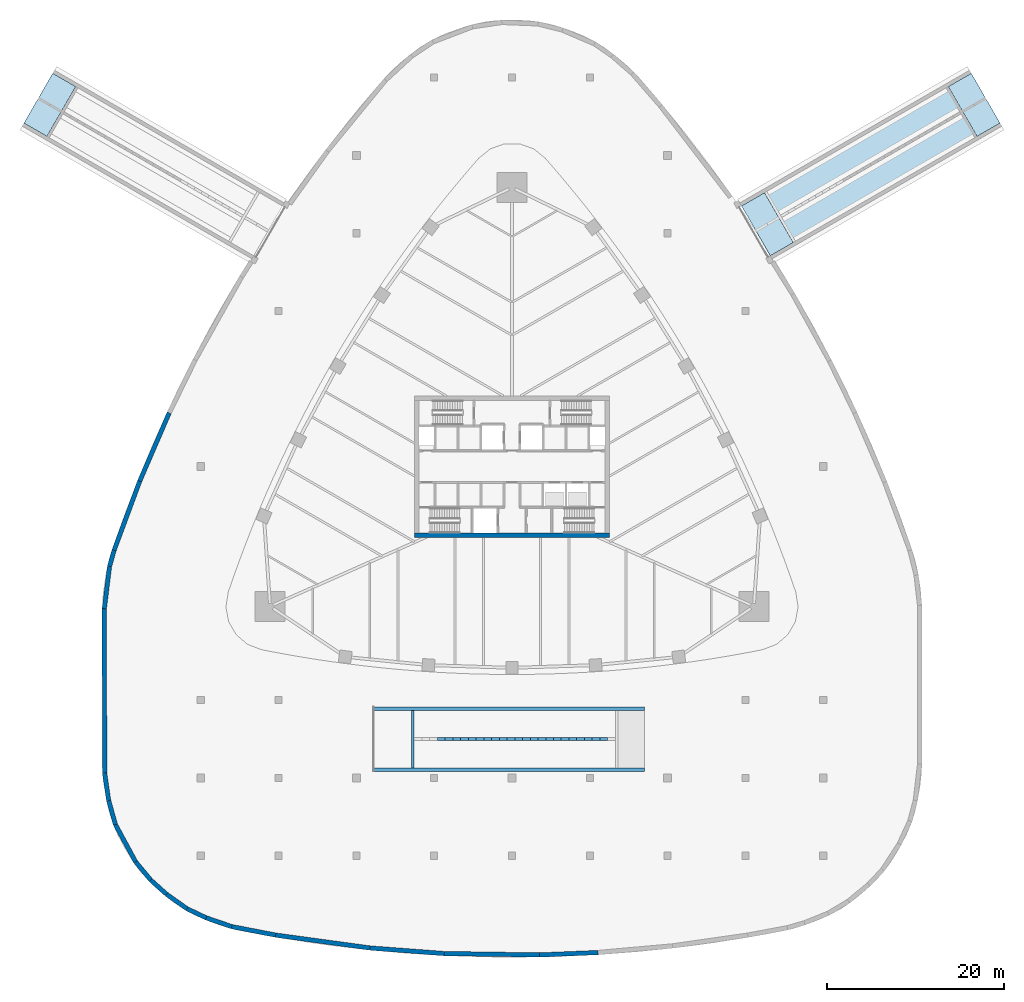
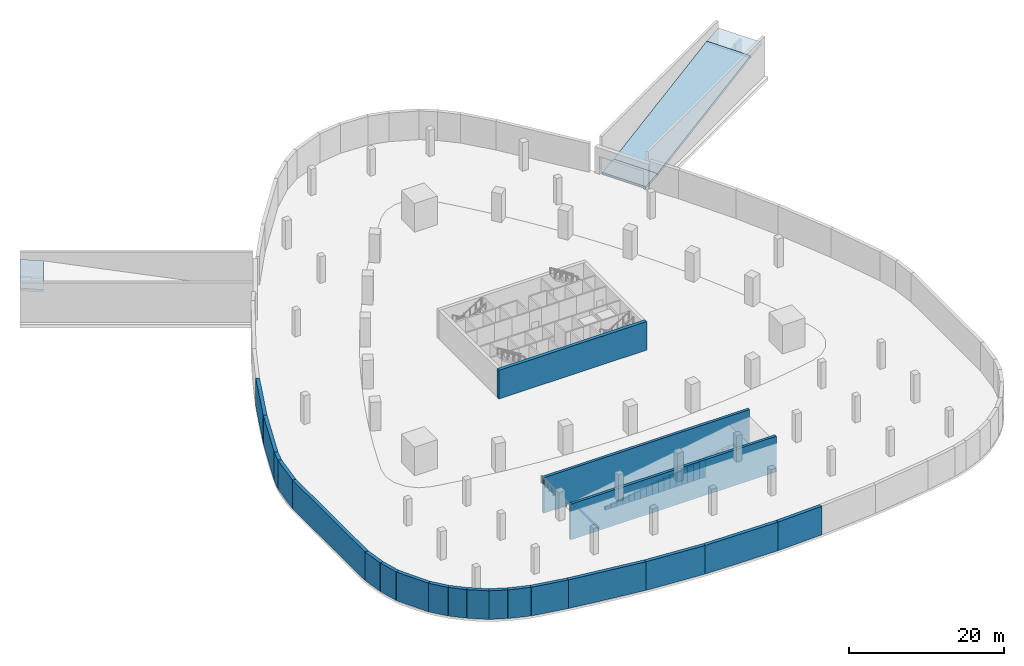
# One storey, part 3 of 10: 44 walls, 4 slabs.
"""IFC4 building model written with IfcOpenShell, lengths in metres."""

from ifc_helpers import new_model, si_unit, direction, frame, frame_2d, origin, place, context, subcontext, project, spatial, polyline, rectangle, outline, extrude, material, layer, layer_set, type_object, element, save


model = new_model("IFC4")

# Units and contexts
model_context = context("Model", 3, precision=1e-05, world=origin(), true_north=direction((0.0, 1.0)))
body_context = subcontext(model_context, "Body", "Model", "MODEL_VIEW")
ifc_project = project(units=[si_unit("LENGTHUNIT", "METRE"), si_unit("AREAUNIT", "SQUARE_METRE"), si_unit("VOLUMEUNIT", "CUBIC_METRE"), si_unit("PLANEANGLEUNIT", "RADIAN"), si_unit("MASSUNIT", "GRAM", prefix="KILO")], contexts=[model_context])

# Site, building, storey
site_placement = place(None, origin())
site = spatial("IfcSite", under=ifc_project, at=site_placement, CompositionType="ELEMENT")
building_placement = place(site_placement, origin())
building = spatial("IfcBuilding", under=site, at=building_placement, Name="Sierra Prisma Convention Tower", CompositionType="ELEMENT")
storey_placement = place(building_placement, frame((0.0, 0.0, -4.5)))
storey = spatial("IfcBuildingStorey", under=building, at=storey_placement, Name="B1", CompositionType="ELEMENT", Elevation=-4.5)

# Slabs
ifc_material_1 = material(Name="Concrete C35/45", Category="concrete")
ifc_layer_1 = layer(ifc_material_1, 0.39990234375)
ifc_layer_set_1 = layer_set([ifc_layer_1], Name="Car park ramp slab 400 C35/45")
slab_type = type_object("IfcSlabType", Name="Car park ramp slab 400 C35/45", PredefinedType="LANDING", material=ifc_layer_set_1)
slab_1_placement = place(storey_placement, frame((25.959228515625, 29.48193359375, 0.0), z_axis=(0.0, 0.0, 1.0), x_axis=(0.866031096941, 0.499990139034, 0.0)))
element("IfcSlab", 1, at=slab_1_placement, inside=storey, type_object=slab_type, Name="Car park ramp R1 lower transition", PredefinedType="LANDING", context=body_context, shape_type="SweptSolid", body=[
    extrude(outline(polyline([(0.0, -0.4013671875), (3.0, -0.1513671875), (3.0, 0.25), (0.0, 0.0), (0.0, -0.4013671875)])), frame((0.0, 0.0, 0.0), z_axis=(0.0, -1.0, 0.0), x_axis=(1.0, 0.0, 0.0)), (0.0, 0.0, 1.0), 6.5),
])
slab_2_placement = place(storey_placement, frame((28.557373046875, 30.98193359375, 0.25), z_axis=(0.0, 0.0, 1.0), x_axis=(0.866026010844, 0.49999894854, 0.0)))
element("IfcSlab", 2, at=slab_2_placement, inside=storey, type_object=slab_type, Name="Car park ramp R1 main flight", PredefinedType="LANDING", context=body_context, shape_type="SweptSolid", body=[
    extrude(outline(polyline([(0.0, -0.405517578125), (24.0, 3.594482421875), (24.0, 4.0), (0.0, 0.0), (0.0, -0.405517578125)])), frame((0.0, 0.0, 0.0), z_axis=(0.0, -1.0, 0.0), x_axis=(1.0, 0.0, 0.0)), (0.0, 0.0, 1.0), 6.5),
])
for number, where, z_axis, x_axis, name in (
    (3, (49.342041015625, 42.98193359375, 4.25), (0.0, 0.0, 1.0), (0.866010750942, 0.50002537861, 0.0), "Car park ramp R1 upper transition"),
    (4, (-52.5927734375, 37.353271484375, 4.25), (0.0, 0.0, 1.0), (-0.866010750942, 0.50002537861, 0.0), "Car park ramp R2 upper transition"),
):
    element("IfcSlab", number, at=place(storey_placement, frame(where, z_axis=z_axis, x_axis=x_axis)), inside=storey, type_object=slab_type, Name=name, PredefinedType="LANDING", context=body_context, shape_type="SweptSolid", body=[
        extrude(outline(polyline([(0.0, -0.4013671875), (2.999755859375, -0.1513671875), (2.999755859375, 0.25), (0.0, 0.0), (0.0, -0.4013671875)])), frame((0.0, 0.0, 0.0), z_axis=(0.0, -1.0, 0.0), x_axis=(1.0, 0.0, 0.0)), (0.0, 0.0, 1.0), 6.5),
    ])

# Walls
ifc_material_2 = material(Name="Concrete C70/85", Category="concrete")
ifc_layer_2 = layer(ifc_material_2, 0.5)
ifc_layer_set_2 = layer_set([ifc_layer_2], Name="Core wall RC 500 C70/85")
wall_type_1 = type_object("IfcWallType", Name="Core wall RC 500 C70/85", PredefinedType="SHEAR", material=ifc_layer_set_2)
wall_1_placement = place(storey_placement, frame((-11.0, -7.75, 0.0), z_axis=(0.0, 0.0, 1.0), x_axis=(1.0, 0.0, 0.0)))
element("IfcWall", 5, at=wall_1_placement, inside=storey, type_object=wall_type_1, Name="Core wall S B1", PredefinedType="SHEAR", context=body_context, shape_type="SweptSolid", body=[
    extrude(rectangle(XDim=22.0, YDim=0.5, at=frame_2d((11.0, 0.0))), origin(), (0.0, 0.0, 1.0), 4.5),
])
ifc_material_3 = material(Name="Concrete C35/45", Category="concrete")
ifc_layer_3 = layer(ifc_material_3, 6.5)
ifc_layer_set_3 = layer_set([ifc_layer_3], Name="Ramp bearing wall 6500")
wall_type_2 = type_object("IfcWallType", Name="Ramp bearing wall 6500", PredefinedType="STANDARD", material=ifc_layer_set_3)
wall_2_placement = place(storey_placement, frame((-11.071044921875, -30.800048828125, -4.5), z_axis=(0.0, 0.0, 1.0), x_axis=(-1.0, 0.0, 0.0)))
element("IfcWall", 6, at=wall_2_placement, inside=storey, type_object=wall_type_2, Name="Car park ramp R3 lower bearing wall", PredefinedType="STANDARD", context=body_context, shape_type="SweptSolid", body=[
    extrude(rectangle(XDim=0.304931640625, YDim=6.5, at=frame_2d((0.15234375, 0.0))), origin(), (0.0, 0.0, 1.0), 0.050048828125),
])
ifc_material_4 = material(Name="Concrete C35/45", Category="concrete")
ifc_layer_4 = layer(ifc_material_4, 0.300048828125)
ifc_layer_set_4 = layer_set([ifc_layer_4], Name="Ramp spine wall 300")
wall_type_3 = type_object("IfcWallType", Name="Ramp spine wall 300", PredefinedType="STANDARD", material=ifc_layer_set_4)
wall_3_placement = place(storey_placement, frame((10.82421875, -30.800048828125, -4.5), z_axis=(0.0, 0.0, 1.0), x_axis=(-1.0, 0.0, 0.0)))
element("IfcWall", 7, at=wall_3_placement, inside=storey, type_object=wall_type_3, Name="Car park ramp R3 spine wall 2", PredefinedType="STANDARD", context=body_context, shape_type="SweptSolid", body=[
    extrude(rectangle(XDim=0.875732421875, YDim=0.300048828125, at=frame_2d((0.43798828125, 0.0))), origin(), (0.0, 0.0, 1.0), 3.55322265625),
])
wall_4_placement = place(storey_placement, frame((9.948486328125, -30.800048828125, -4.5), z_axis=(0.0, 0.0, 1.0), x_axis=(-1.0, 0.0, 0.0)))
element("IfcWall", 8, at=wall_4_placement, inside=storey, type_object=wall_type_3, Name="Car park ramp R3 spine wall 3", PredefinedType="STANDARD", context=body_context, shape_type="SweptSolid", body=[
    extrude(rectangle(XDim=0.8759765625, YDim=0.300048828125, at=frame_2d((0.43798828125, 0.0))), origin(), (0.0, 0.0, 1.0), 3.4072265625),
])
wall_5_placement = place(storey_placement, frame((9.072509765625, -30.800048828125, -4.5), z_axis=(0.0, 0.0, 1.0), x_axis=(-1.0, 0.0, 0.0)))
element("IfcWall", 9, at=wall_5_placement, inside=storey, type_object=wall_type_3, Name="Car park ramp R3 spine wall 4", PredefinedType="STANDARD", context=body_context, shape_type="SweptSolid", body=[
    extrude(rectangle(XDim=0.875732421875, YDim=0.300048828125, at=frame_2d((0.43798828125, 0.0))), origin(), (0.0, 0.0, 1.0), 3.26123046875),
])
wall_6_placement = place(storey_placement, frame((8.19677734375, -30.800048828125, -4.5), z_axis=(0.0, 0.0, 1.0), x_axis=(-1.0, 0.0, 0.0)))
element("IfcWall", 10, at=wall_6_placement, inside=storey, type_object=wall_type_3, Name="Car park ramp R3 spine wall 5", PredefinedType="STANDARD", context=body_context, shape_type="SweptSolid", body=[
    extrude(rectangle(XDim=0.875732421875, YDim=0.300048828125, at=frame_2d((0.43798828125, 0.0))), origin(), (0.0, 0.0, 1.0), 3.115234375),
])
wall_7_placement = place(storey_placement, frame((7.321044921875, -30.800048828125, -4.5), z_axis=(0.0, 0.0, 1.0), x_axis=(-1.0, 0.0, 0.0)))
element("IfcWall", 11, at=wall_7_placement, inside=storey, type_object=wall_type_3, Name="Car park ramp R3 spine wall 6", PredefinedType="STANDARD", context=body_context, shape_type="SweptSolid", body=[
    extrude(rectangle(XDim=0.8759765625, YDim=0.300048828125, at=frame_2d((0.43798828125, 0.0))), origin(), (0.0, 0.0, 1.0), 2.969482421875),
])
wall_8_placement = place(storey_placement, frame((6.445068359375, -30.800048828125, -4.5), z_axis=(0.0, 0.0, 1.0), x_axis=(-1.0, 0.0, 0.0)))
element("IfcWall", 12, at=wall_8_placement, inside=storey, type_object=wall_type_3, Name="Car park ramp R3 spine wall 7", PredefinedType="STANDARD", context=body_context, shape_type="SweptSolid", body=[
    extrude(rectangle(XDim=0.875732421875, YDim=0.300048828125, at=frame_2d((0.43798828125, 0.0))), origin(), (0.0, 0.0, 1.0), 2.823486328125),
])
wall_9_placement = place(storey_placement, frame((5.5693359375, -30.800048828125, -4.5), z_axis=(0.0, 0.0, 1.0), x_axis=(-1.0, 0.0, 0.0)))
element("IfcWall", 13, at=wall_9_placement, inside=storey, type_object=wall_type_3, Name="Car park ramp R3 spine wall 8", PredefinedType="STANDARD", context=body_context, shape_type="SweptSolid", body=[
    extrude(rectangle(XDim=0.875732421875, YDim=0.300048828125, at=frame_2d((0.43798828125, 0.0))), origin(), (0.0, 0.0, 1.0), 2.677490234375),
])
wall_10_placement = place(storey_placement, frame((4.693603515625, -30.800048828125, -4.5), z_axis=(0.0, 0.0, 1.0), x_axis=(-1.0, 0.0, 0.0)))
element("IfcWall", 14, at=wall_10_placement, inside=storey, type_object=wall_type_3, Name="Car park ramp R3 spine wall 9", PredefinedType="STANDARD", context=body_context, shape_type="SweptSolid", body=[
    extrude(rectangle(XDim=0.8759765625, YDim=0.300048828125, at=frame_2d((0.43798828125, 0.0))), origin(), (0.0, 0.0, 1.0), 2.531494140625),
])
wall_11_placement = place(storey_placement, frame((3.817626953125, -30.800048828125, -4.5), z_axis=(0.0, 0.0, 1.0), x_axis=(-1.0, 0.0, 0.0)))
element("IfcWall", 15, at=wall_11_placement, inside=storey, type_object=wall_type_3, Name="Car park ramp R3 spine wall 10", PredefinedType="STANDARD", context=body_context, shape_type="SweptSolid", body=[
    extrude(rectangle(XDim=0.875732421875, YDim=0.300048828125, at=frame_2d((0.43798828125, 0.0))), origin(), (0.0, 0.0, 1.0), 2.385498046875),
])
wall_12_placement = place(storey_placement, frame((2.94189453125, -30.800048828125, -4.5), z_axis=(0.0, 0.0, 1.0), x_axis=(-1.0, 0.0, 0.0)))
element("IfcWall", 16, at=wall_12_placement, inside=storey, type_object=wall_type_3, Name="Car park ramp R3 spine wall 11", PredefinedType="STANDARD", context=body_context, shape_type="SweptSolid", body=[
    extrude(rectangle(XDim=0.875732421875, YDim=0.300048828125, at=frame_2d((0.43798828125, 0.0))), origin(), (0.0, 0.0, 1.0), 2.239501953125),
])
wall_13_placement = place(storey_placement, frame((2.066162109375, -30.800048828125, -4.5), z_axis=(0.0, 0.0, 1.0), x_axis=(-1.0, 0.0, 0.0)))
element("IfcWall", 17, at=wall_13_placement, inside=storey, type_object=wall_type_3, Name="Car park ramp R3 spine wall 12", PredefinedType="STANDARD", context=body_context, shape_type="SweptSolid", body=[
    extrude(rectangle(XDim=0.8759765625, YDim=0.300048828125, at=frame_2d((0.43798828125, 0.0))), origin(), (0.0, 0.0, 1.0), 2.093505859375),
])
wall_14_placement = place(storey_placement, frame((1.190185546875, -30.800048828125, -4.5), z_axis=(0.0, 0.0, 1.0), x_axis=(-1.0, 0.0, 0.0)))
element("IfcWall", 18, at=wall_14_placement, inside=storey, type_object=wall_type_3, Name="Car park ramp R3 spine wall 13", PredefinedType="STANDARD", context=body_context, shape_type="SweptSolid", body=[
    extrude(rectangle(XDim=0.875732421875, YDim=0.300048828125, at=frame_2d((0.43798828125, 0.0))), origin(), (0.0, 0.0, 1.0), 1.947509765625),
])
wall_15_placement = place(storey_placement, frame((0.314453125, -30.800048828125, -4.5), z_axis=(0.0, 0.0, 1.0), x_axis=(-1.0, 0.0, 0.0)))
element("IfcWall", 19, at=wall_15_placement, inside=storey, type_object=wall_type_3, Name="Car park ramp R3 spine wall 14", PredefinedType="STANDARD", context=body_context, shape_type="SweptSolid", body=[
    extrude(rectangle(XDim=0.875732421875, YDim=0.300048828125, at=frame_2d((0.43798828125, 0.0))), origin(), (0.0, 0.0, 1.0), 1.801513671875),
])
wall_16_placement = place(storey_placement, frame((-0.561279296875, -30.800048828125, -4.5), z_axis=(0.0, 0.0, 1.0), x_axis=(-1.0, 0.0, 0.0)))
element("IfcWall", 20, at=wall_16_placement, inside=storey, type_object=wall_type_3, Name="Car park ramp R3 spine wall 15", PredefinedType="STANDARD", context=body_context, shape_type="SweptSolid", body=[
    extrude(rectangle(XDim=0.875732421875, YDim=0.300048828125, at=frame_2d((0.43798828125, 0.0))), origin(), (0.0, 0.0, 1.0), 1.655517578125),
])
wall_17_placement = place(storey_placement, frame((-1.43701171875, -30.800048828125, -4.5), z_axis=(0.0, 0.0, 1.0), x_axis=(-1.0, 0.0, 0.0)))
element("IfcWall", 21, at=wall_17_placement, inside=storey, type_object=wall_type_3, Name="Car park ramp R3 spine wall 16", PredefinedType="STANDARD", context=body_context, shape_type="SweptSolid", body=[
    extrude(rectangle(XDim=0.8759765625, YDim=0.300048828125, at=frame_2d((0.43798828125, 0.0))), origin(), (0.0, 0.0, 1.0), 1.509765625),
])
wall_18_placement = place(storey_placement, frame((-2.31298828125, -30.800048828125, -4.5), z_axis=(0.0, 0.0, 1.0), x_axis=(-1.0, 0.0, 0.0)))
element("IfcWall", 22, at=wall_18_placement, inside=storey, type_object=wall_type_3, Name="Car park ramp R3 spine wall 17", PredefinedType="STANDARD", context=body_context, shape_type="SweptSolid", body=[
    extrude(rectangle(XDim=0.875732421875, YDim=0.300048828125, at=frame_2d((0.43798828125, 0.0))), origin(), (0.0, 0.0, 1.0), 1.36376953125),
])
wall_19_placement = place(storey_placement, frame((-3.188720703125, -30.800048828125, -4.5), z_axis=(0.0, 0.0, 1.0), x_axis=(-1.0, 0.0, 0.0)))
element("IfcWall", 23, at=wall_19_placement, inside=storey, type_object=wall_type_3, Name="Car park ramp R3 spine wall 18", PredefinedType="STANDARD", context=body_context, shape_type="SweptSolid", body=[
    extrude(rectangle(XDim=0.8759765625, YDim=0.300048828125, at=frame_2d((0.43798828125, 0.0))), origin(), (0.0, 0.0, 1.0), 1.2177734375),
])
wall_20_placement = place(storey_placement, frame((-4.064697265625, -30.800048828125, -4.5), z_axis=(0.0, 0.0, 1.0), x_axis=(-1.0, 0.0, 0.0)))
element("IfcWall", 24, at=wall_20_placement, inside=storey, type_object=wall_type_3, Name="Car park ramp R3 spine wall 19", PredefinedType="STANDARD", context=body_context, shape_type="SweptSolid", body=[
    extrude(rectangle(XDim=0.875732421875, YDim=0.300048828125, at=frame_2d((0.43798828125, 0.0))), origin(), (0.0, 0.0, 1.0), 1.07177734375),
])
wall_21_placement = place(storey_placement, frame((-4.9404296875, -30.800048828125, -4.5), z_axis=(0.0, 0.0, 1.0), x_axis=(-1.0, 0.0, 0.0)))
element("IfcWall", 25, at=wall_21_placement, inside=storey, type_object=wall_type_3, Name="Car park ramp R3 spine wall 20", PredefinedType="STANDARD", context=body_context, shape_type="SweptSolid", body=[
    extrude(rectangle(XDim=0.875732421875, YDim=0.300048828125, at=frame_2d((0.43798828125, 0.0))), origin(), (0.0, 0.0, 1.0), 0.92578125),
])
wall_22_placement = place(storey_placement, frame((-5.816162109375, -30.800048828125, -4.5), z_axis=(0.0, 0.0, 1.0), x_axis=(-1.0, 0.0, 0.0)))
element("IfcWall", 26, at=wall_22_placement, inside=storey, type_object=wall_type_3, Name="Car park ramp R3 spine wall 21", PredefinedType="STANDARD", context=body_context, shape_type="SweptSolid", body=[
    extrude(rectangle(XDim=0.875732421875, YDim=0.300048828125, at=frame_2d((0.43798828125, 0.0))), origin(), (0.0, 0.0, 1.0), 0.77978515625),
])
wall_23_placement = place(storey_placement, frame((-6.69189453125, -30.800048828125, -4.5), z_axis=(0.0, 0.0, 1.0), x_axis=(-1.0, 0.0, 0.0)))
element("IfcWall", 27, at=wall_23_placement, inside=storey, type_object=wall_type_3, Name="Car park ramp R3 spine wall 22", PredefinedType="STANDARD", context=body_context, shape_type="SweptSolid", body=[
    extrude(rectangle(XDim=0.8759765625, YDim=0.300048828125, at=frame_2d((0.43798828125, 0.0))), origin(), (0.0, 0.0, 1.0), 0.6337890625),
])
wall_24_placement = place(storey_placement, frame((-7.56787109375, -30.800048828125, -4.5), z_axis=(0.0, 0.0, 1.0), x_axis=(-1.0, 0.0, 0.0)))
element("IfcWall", 28, at=wall_24_placement, inside=storey, type_object=wall_type_3, Name="Car park ramp R3 spine wall 23", PredefinedType="STANDARD", context=body_context, shape_type="SweptSolid", body=[
    extrude(rectangle(XDim=0.875732421875, YDim=0.300048828125, at=frame_2d((0.43798828125, 0.0))), origin(), (0.0, 0.0, 1.0), 0.48779296875),
])
ifc_material_5 = material(Name="Concrete C35/45", Category="concrete")
ifc_layer_5 = layer(ifc_material_5, 0.39990234375)
ifc_layer_set_5 = layer_set([ifc_layer_5], Name="Retaining wall 400")
wall_type_4 = type_object("IfcWallType", Name="Retaining wall 400", PredefinedType="STANDARD", material=ifc_layer_set_5)
for number, where, z_axis, x_axis, name in (
    (29, (15.0, -27.35009765625, -4.5), (0.0, 0.0, 1.0), (-1.0, 0.0, 0.0), "Car park ramp R3 side wall north"),
    (30, (15.0, -34.25, -4.5), (0.0, 0.0, 1.0), (-1.0, 0.0, 0.0), "Car park ramp R3 side wall south"),
):
    element("IfcWall", number, at=place(storey_placement, frame(where, z_axis=z_axis, x_axis=x_axis)), inside=storey, type_object=wall_type_4, Name=name, PredefinedType="STANDARD", context=body_context, shape_type="SweptSolid", body=[
        extrude(rectangle(XDim=30.62890625, YDim=0.39990234375, at=frame_2d((15.314453125, 0.0))), origin(), (0.0, 0.0, 1.0), 5.60009765625),
    ])
ifc_material_6 = material(Name="Concrete C40/50", Category="concrete")
ifc_layer_6 = layer(ifc_material_6, 0.5)
ifc_layer_set_6 = layer_set([ifc_layer_6], Name="Retaining wall 500")
wall_type_5 = type_object("IfcWallType", Name="Retaining wall 500", PredefinedType="SOLIDWALL", material=ifc_layer_set_6)
wall_25_placement = place(storey_placement, frame((3.102294921875, -55.218994140625, 0.0), z_axis=(0.0, 0.0, 1.0), x_axis=(-0.999896353878, 0.014397274092, 0.0)))
element("IfcWall", 31, at=wall_25_placement, inside=storey, type_object=wall_type_5, Name="Retaining wall B1 01", PredefinedType="SOLIDWALL", context=body_context, shape_type="SweptSolid", body=[
    extrude(rectangle(XDim=10.76806640625, YDim=0.5, at=frame_2d((5.384033203125, 0.0))), origin(), (0.0, 0.0, 1.0), 4.5),
])
wall_26_placement = place(storey_placement, frame((-7.66455078125, -55.06396484375, 0.0), z_axis=(0.0, 0.0, 1.0), x_axis=(-0.997187951521, 0.074941239251, 0.0)))
element("IfcWall", 32, at=wall_26_placement, inside=storey, type_object=wall_type_5, Name="Retaining wall B1 02", PredefinedType="SOLIDWALL", context=body_context, shape_type="SweptSolid", body=[
    extrude(rectangle(XDim=8.424560546875, YDim=0.5, at=frame_2d((4.21240234375, 0.0))), origin(), (0.0, 0.0, 1.0), 4.5),
])
wall_27_placement = place(storey_placement, frame((-16.0654296875, -54.4326171875, 0.0), z_axis=(0.0, 0.0, 1.0), x_axis=(-0.99081443201, 0.135228552165, 0.0)))
element("IfcWall", 33, at=wall_27_placement, inside=storey, type_object=wall_type_5, Name="Retaining wall B1 03", PredefinedType="SOLIDWALL", context=body_context, shape_type="SweptSolid", body=[
    extrude(rectangle(XDim=10.767333984375, YDim=0.5, at=frame_2d((5.3837890625, 0.0))), origin(), (0.0, 0.0, 1.0), 4.5),
])
wall_28_placement = place(storey_placement, frame((-26.73388671875, -52.9765625, 0.0), z_axis=(0.0, 0.0, 1.0), x_axis=(-0.981788284041, 0.189978328554, 0.0)))
element("IfcWall", 34, at=wall_28_placement, inside=storey, type_object=wall_type_5, Name="Retaining wall B1 04", PredefinedType="SOLIDWALL", context=body_context, shape_type="SweptSolid", body=[
    extrude(rectangle(XDim=5.0517578125, YDim=0.5, at=frame_2d((2.52587890625, 0.0))), origin(), (0.0, 0.0, 1.0), 4.5),
])
wall_29_placement = place(storey_placement, frame((-31.693603515625, -52.016845703125, 0.0), z_axis=(0.0, 0.0, 1.0), x_axis=(-0.945863909961, 0.324563497382, 0.0)))
element("IfcWall", 35, at=wall_29_placement, inside=storey, type_object=wall_type_5, Name="Retaining wall B1 05", PredefinedType="SOLIDWALL", context=body_context, shape_type="SweptSolid", body=[
    extrude(rectangle(XDim=3.05322265625, YDim=0.5, at=frame_2d((1.526611328125, 0.0))), origin(), (0.0, 0.0, 1.0), 4.5),
])
wall_30_placement = place(storey_placement, frame((-34.58154296875, -51.02587890625, 0.0), z_axis=(0.0, 0.0, 1.0), x_axis=(-0.903210389345, 0.429198080819, 0.0)))
element("IfcWall", 36, at=wall_30_placement, inside=storey, type_object=wall_type_5, Name="Retaining wall B1 06", PredefinedType="SOLIDWALL", context=body_context, shape_type="SweptSolid", body=[
    extrude(rectangle(XDim=2.39697265625, YDim=0.5, at=frame_2d((1.198486328125, 0.0))), origin(), (0.0, 0.0, 1.0), 4.5),
])
wall_31_placement = place(storey_placement, frame((-36.74658203125, -49.9970703125, 0.0), z_axis=(0.0, 0.0, 1.0), x_axis=(-0.816134153521, 0.57786247798, 0.0)))
element("IfcWall", 37, at=wall_31_placement, inside=storey, type_object=wall_type_5, Name="Retaining wall B1 07", PredefinedType="SOLIDWALL", context=body_context, shape_type="SweptSolid", body=[
    extrude(rectangle(XDim=2.84326171875, YDim=0.5, at=frame_2d((1.421630859375, 0.0))), origin(), (0.0, 0.0, 1.0), 4.5),
])
wall_32_placement = place(storey_placement, frame((-39.067138671875, -48.35400390625, 0.0), z_axis=(0.0, 0.0, 1.0), x_axis=(-0.744482217969, 0.667642289799, 0.0)))
element("IfcWall", 38, at=wall_32_placement, inside=storey, type_object=wall_type_5, Name="Retaining wall B1 08", PredefinedType="SOLIDWALL", context=body_context, shape_type="SweptSolid", body=[
    extrude(rectangle(XDim=2.39892578125, YDim=0.5, at=frame_2d((1.199462890625, 0.0))), origin(), (0.0, 0.0, 1.0), 4.5),
])
wall_33_placement = place(storey_placement, frame((-40.85302734375, -46.75244140625, 0.0), z_axis=(0.0, 0.0, 1.0), x_axis=(-0.63937488944, 0.768895149388, 0.0)))
element("IfcWall", 39, at=wall_33_placement, inside=storey, type_object=wall_type_5, Name="Retaining wall B1 09", PredefinedType="SOLIDWALL", context=body_context, shape_type="SweptSolid", body=[
    extrude(rectangle(XDim=2.6708984375, YDim=0.5, at=frame_2d((1.33544921875, 0.0))), origin(), (0.0, 0.0, 1.0), 4.5),
])
wall_34_placement = place(storey_placement, frame((-42.560791015625, -44.69873046875, 0.0), z_axis=(0.0, 0.0, 1.0), x_axis=(-0.477048002242, 0.878877240323, 0.0)))
element("IfcWall", 40, at=wall_34_placement, inside=storey, type_object=wall_type_5, Name="Retaining wall B1 10", PredefinedType="SOLIDWALL", context=body_context, shape_type="SweptSolid", body=[
    extrude(rectangle(XDim=4.790771484375, YDim=0.5, at=frame_2d((2.3955078125, 0.0))), origin(), (0.0, 0.0, 1.0), 4.5),
])
wall_35_placement = place(storey_placement, frame((-44.84619140625, -40.48828125, 0.0), z_axis=(0.0, 0.0, 1.0), x_axis=(-0.271258120225, 0.962506640087, 0.0)))
element("IfcWall", 41, at=wall_35_placement, inside=storey, type_object=wall_type_5, Name="Retaining wall B1 11", PredefinedType="SOLIDWALL", context=body_context, shape_type="SweptSolid", body=[
    extrude(rectangle(XDim=2.84130859375, YDim=0.5, at=frame_2d((1.420654296875, 0.0))), origin(), (0.0, 0.0, 1.0), 4.5),
])
wall_36_placement = place(storey_placement, frame((-45.616943359375, -37.75341796875, 0.0), z_axis=(0.0, 0.0, 1.0), x_axis=(-0.144481110013, 0.989507558763, 0.0)))
element("IfcWall", 42, at=wall_36_placement, inside=storey, type_object=wall_type_5, Name="Retaining wall B1 12", PredefinedType="SOLIDWALL", context=body_context, shape_type="SweptSolid", body=[
    extrude(rectangle(XDim=3.115966796875, YDim=0.5, at=frame_2d((1.55810546875, 0.0))), origin(), (0.0, 0.0, 1.0), 4.5),
])
wall_37_placement = place(storey_placement, frame((-46.067138671875, -34.670166015625, 0.0), z_axis=(0.0, 0.0, 1.0), x_axis=(-0.002007553819, 0.999997984862, 0.0)))
element("IfcWall", 43, at=wall_37_placement, inside=storey, type_object=wall_type_5, Name="Retaining wall B1 13", PredefinedType="SOLIDWALL", context=body_context, shape_type="SweptSolid", body=[
    extrude(rectangle(XDim=18.6064453125, YDim=0.5, at=frame_2d((9.30322265625, 0.0))), origin(), (0.0, 0.0, 1.0), 4.5),
])
wall_38_placement = place(storey_placement, frame((-46.1044921875, -16.063720703125, 0.0), z_axis=(0.0, 0.0, 1.0), x_axis=(0.121862377762, 0.99254700689, 0.0)))
element("IfcWall", 44, at=wall_38_placement, inside=storey, type_object=wall_type_5, Name="Retaining wall B1 14", PredefinedType="SOLIDWALL", context=body_context, shape_type="SweptSolid", body=[
    extrude(rectangle(XDim=4.814208984375, YDim=0.5, at=frame_2d((2.4072265625, 0.0))), origin(), (0.0, 0.0, 1.0), 4.5),
])
wall_39_placement = place(storey_placement, frame((-45.517822265625, -11.285400390625, 0.0), z_axis=(0.0, 0.0, 1.0), x_axis=(0.270156779067, 0.962816345273, 0.0)))
element("IfcWall", 45, at=wall_39_placement, inside=storey, type_object=wall_type_5, Name="Retaining wall B1 15", PredefinedType="SOLIDWALL", context=body_context, shape_type="SweptSolid", body=[
    extrude(rectangle(XDim=1.873291015625, YDim=0.5, at=frame_2d((0.9365234375, 0.0))), origin(), (0.0, 0.0, 1.0), 4.5),
])
wall_40_placement = place(storey_placement, frame((-45.01171875, -9.481689453125, 0.0), z_axis=(0.0, 0.0, 1.0), x_axis=(0.347237291218, 0.937777299569, 0.0)))
element("IfcWall", 46, at=wall_40_placement, inside=storey, type_object=wall_type_5, Name="Retaining wall B1 16", PredefinedType="SOLIDWALL", context=body_context, shape_type="SweptSolid", body=[
    extrude(rectangle(XDim=8.357666015625, YDim=0.5, at=frame_2d((4.1787109375, 0.0))), origin(), (0.0, 0.0, 1.0), 4.5),
])
wall_41_placement = place(storey_placement, frame((-42.109619140625, -1.64404296875, 0.0), z_axis=(0.0, 0.0, 1.0), x_axis=(0.396582550064, 0.917999063717, 0.0)))
element("IfcWall", 47, at=wall_41_placement, inside=storey, type_object=wall_type_5, Name="Retaining wall B1 17", PredefinedType="SOLIDWALL", context=body_context, shape_type="SweptSolid", body=[
    extrude(rectangle(XDim=8.42529296875, YDim=0.5, at=frame_2d((4.212646484375, 0.0))), origin(), (0.0, 0.0, 1.0), 4.5),
])
wall_42_placement = place(storey_placement, frame((9.74755859375, -54.94921875, 0.0), z_axis=(0.0, 0.0, 1.0), x_axis=(-0.999176973502, -0.040563229939, 0.0)))
element("IfcWall", 48, at=wall_42_placement, inside=storey, type_object=wall_type_5, Name="Retaining wall B1 55", PredefinedType="SOLIDWALL", context=body_context, shape_type="SweptSolid", body=[
    extrude(rectangle(XDim=6.650634765625, YDim=0.5, at=frame_2d((3.3251953125, 0.0))), origin(), (0.0, 0.0, 1.0), 4.5),
])

save(model, "model.ifc")
